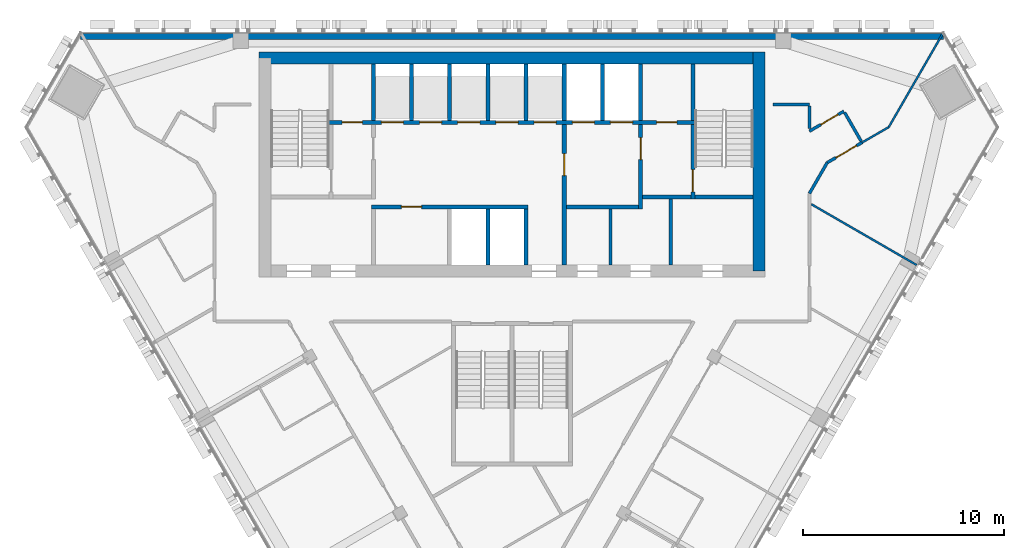
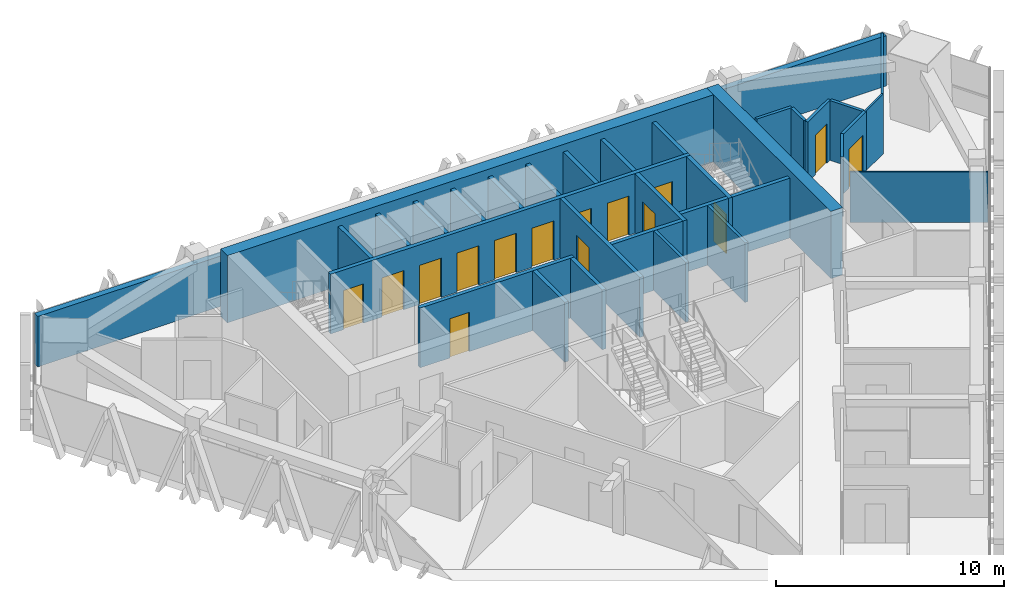
# One storey, part 10 of 14: 33 walls, 15 doors, 15 openings.
"""IFC4 building model written with IfcOpenShell, lengths in metres."""

from ifc_helpers import new_model, si_unit, direction, frame, frame_2d, origin, place, context, subcontext, project, spatial, rectangle, extrude, material, layer, layer_set, type_object, element, fill, save


model = new_model("IFC4")

# Units and contexts
model_context = context("Model", 3, precision=1e-05, world=origin(), true_north=direction((0.0, 1.0)))
body_context = subcontext(model_context, "Body", "Model", "MODEL_VIEW")
ifc_project = project(units=[si_unit("LENGTHUNIT", "METRE"), si_unit("AREAUNIT", "SQUARE_METRE"), si_unit("VOLUMEUNIT", "CUBIC_METRE"), si_unit("PLANEANGLEUNIT", "RADIAN"), si_unit("MASSUNIT", "GRAM", prefix="KILO")], contexts=[model_context])

# Site, building, storey
site_placement = place(None, origin())
site = spatial("IfcSite", under=ifc_project, at=site_placement, CompositionType="ELEMENT")
building_placement = place(site_placement, origin())
building = spatial("IfcBuilding", under=site, at=building_placement, Name="Altiplano Prism Tower", CompositionType="ELEMENT")
storey_placement = place(building_placement, frame((0.0, 0.0, 239.199951171875)))
storey = spatial("IfcBuildingStorey", under=building, at=storey_placement, Name="L61", CompositionType="ELEMENT", Elevation=239.199951171875)

# Walls
ifc_material_1 = material(Name="Concrete C60/75", Category="concrete")
ifc_layer_1 = layer(ifc_material_1, 0.60009765625)
ifc_layer_set_1 = layer_set([ifc_layer_1], Name="Concrete C60/75")
wall_type_1 = type_object("IfcWallType", Name="Core wall 600", PredefinedType="SHEAR", material=ifc_layer_set_1)
wall_1_placement = place(storey_placement, frame((97.300048828125, 93.10009765625, 0.0), z_axis=(0.0, 0.0, 1.0), x_axis=(0.0, 1.0, 0.0)))
element("IfcWall", 1, at=wall_1_placement, inside=storey, type_object=wall_type_1, Name="Core wall E L61", PredefinedType="SHEAR", context=body_context, shape_type="SweptSolid", body=[
    extrude(rectangle(XDim=10.89990234375, YDim=0.60009765625, at=frame_2d((5.449951171875, 0.0))), origin(), (0.0, 0.0, 1.0), 3.60009765625),
])
wall_2_placement = place(storey_placement, frame((97.300048828125, 103.699951171875, 0.0), z_axis=(0.0, 0.0, 1.0), x_axis=(-1.0, 0.0, 0.0)))
element("IfcWall", 2, at=wall_2_placement, inside=storey, type_object=wall_type_1, Name="Core wall N L61", PredefinedType="SHEAR", context=body_context, shape_type="SweptSolid", body=[
    extrude(rectangle(XDim=24.900146484375, YDim=0.60009765625, at=frame_2d((12.4501953125, 0.0))), origin(), (0.0, 0.0, 1.0), 3.60009765625),
])
ifc_material_2 = material(Name="Plasterboard on steel stud", Category="steel")
ifc_layer_2 = layer(ifc_material_2, 0.10009765625)
ifc_layer_set_2 = layer_set([ifc_layer_2], Name="Plasterboard on steel stud")
wall_type_2 = type_object("IfcWallType", Name="Partition 100 wet", PredefinedType="PARTITIONING", material=ifc_layer_set_2)
wall_3_placement = place(storey_placement, frame((105.135009765625, 93.407958984375, 0.0), z_axis=(0.0, 0.0, 1.0), x_axis=(-0.866045022241, 0.499966018296, 0.0)))
element("IfcWall", 3, at=wall_3_placement, inside=storey, type_object=wall_type_2, Name="Partition P03 L61 060", PredefinedType="PARTITIONING", context=body_context, shape_type="SweptSolid", body=[
    extrude(rectangle(XDim=6.044921875, YDim=0.10009765625, at=frame_2d((3.0224609375, 0.0))), origin(), (0.0, 0.0, 1.0), 2.699951171875),
])
wall_4_placement = place(storey_placement, frame((106.42236328125, 104.89990234375, 0.0), z_axis=(0.0, 0.0, 1.0), x_axis=(-0.500008311739, -0.866020604947, 0.0)))
element("IfcWall", 4, at=wall_4_placement, inside=storey, type_object=wall_type_2, Name="Partition P03 L61 061", PredefinedType="PARTITIONING", context=body_context, shape_type="SweptSolid", body=[
    extrude(rectangle(XDim=5.34765625, YDim=0.10009765625, at=frame_2d((2.673828125, 0.0))), origin(), (0.0, 0.0, 1.0), 2.699951171875),
])
wall_5_placement = place(storey_placement, frame((103.74853515625, 100.268798828125, 0.0), z_axis=(0.0, 0.0, 1.0), x_axis=(-0.866016353143, -0.500015675843, 0.0)))
element("IfcWall", 5, at=wall_5_placement, inside=storey, type_object=wall_type_2, Name="Partition P03 L61 062", PredefinedType="PARTITIONING", context=body_context, shape_type="SweptSolid", body=[
    extrude(rectangle(XDim=1.53759765625, YDim=0.10009765625, at=frame_2d((0.768798828125, 0.0))), origin(), (0.0, 0.0, 1.0), 3.199951171875),
])
ifc_layer_3 = layer(ifc_material_2, 0.14990234375)
ifc_layer_set_3 = layer_set([ifc_layer_3], Name="Plasterboard on steel stud")
wall_type_3 = type_object("IfcWallType", Name="Partition 150 corridor", PredefinedType="PARTITIONING", material=ifc_layer_set_3)
wall_6_placement = place(storey_placement, frame((99.800048828125, 96.96728515625, 0.0), z_axis=(0.0, 0.0, 1.0), x_axis=(0.499937404092, 0.866061540533, 0.0)))
element("IfcWall", 6, at=wall_6_placement, inside=storey, type_object=wall_type_3, Name="Partition P06 L61 013", PredefinedType="PARTITIONING", context=body_context, shape_type="SweptSolid", body=[
    extrude(rectangle(XDim=1.769775390625, YDim=0.14990234375, at=frame_2d((0.884765625, 0.0))), origin(), (0.0, 0.0, 1.0), 3.199951171875),
])

# Wall, opening, door
wall_7_placement = place(storey_placement, frame((100.684814453125, 98.5, 0.0), z_axis=(0.0, 0.0, 1.0), x_axis=(0.866040685659, 0.499973530083, 0.0)))
wall_7 = element("IfcWall", 7, at=wall_7_placement, inside=storey, type_object=wall_type_3, Name="Partition P06 L61 014", PredefinedType="PARTITIONING", context=body_context, shape_type="SweptSolid", body=[
    extrude(rectangle(XDim=2.02001953125, YDim=0.14990234375, at=frame_2d((1.010009765625, 0.0))), origin(), (0.0, 0.0, 1.0), 3.199951171875),
])
opening_1_placement = place(wall_7_placement, frame((0.49609375, 0.0, 0.0)))
opening_1 = element("IfcOpeningElement", 8, at=opening_1_placement, cuts=wall_7, Name="Opening D2014", PredefinedType="OPENING", context=body_context, shape_type="SweptSolid", body=[
    extrude(rectangle(XDim=1.199951171875, YDim=2.10009765625, at=frame_2d((0.60009765625, 1.050048828125))), frame((0.0, 0.08544921875, 0.0), z_axis=(0.0, -1.0, 0.0), x_axis=(1.0, 0.0, 0.0)), (0.0, 0.0, 1.0), 0.1708984375),
])
ifc_material_3 = material(Name="Timber", Category="wood")
door_type_1 = type_object("IfcDoorType", Name="Shared room door 1200 x 2100", OperationType="NOTDEFINED", PredefinedType="NOTDEFINED", material=ifc_material_3)
door_1_placement = place(opening_1_placement, origin())
door_1 = element("IfcDoor", 9, at=door_1_placement, inside=storey, type_object=door_type_1, Name="Door D2014", OperationType="SINGLE_SWING_RIGHT", OverallHeight=2.10009765625, OverallWidth=1.199951171875, PredefinedType="NOTDEFINED", context=body_context, shape_type="SweptSolid", body=[
    extrude(rectangle(XDim=1.199951171875, YDim=2.10009765625, at=frame_2d((0.60009765625, 1.050048828125))), frame((0.0, 0.02490234375, 0.0), z_axis=(0.0, -1.0, 0.0), x_axis=(1.0, 0.0, 0.0)), (0.0, 0.0, 1.0), 0.050048828125),
])
fill(opening_1, door_1)

# Wall
wall_8_placement = place(storey_placement, frame((102.37939453125, 99.56494140625, 0.0), z_axis=(0.0, 0.0, 1.0), x_axis=(-0.499974350878, 0.866040211805, 0.0)))
element("IfcWall", 10, at=wall_8_placement, inside=storey, type_object=wall_type_3, Name="Partition P06 L61 019", PredefinedType="PARTITIONING", context=body_context, shape_type="SweptSolid", body=[
    extrude(rectangle(XDim=1.64990234375, YDim=0.14990234375, at=frame_2d((0.824951171875, 0.0))), origin(), (0.0, 0.0, 1.0), 3.199951171875),
])

# Wall, opening, door
wall_9_placement = place(storey_placement, frame((101.516845703125, 101.058837890625, 0.0), z_axis=(0.0, 0.0, 1.0), x_axis=(-0.866021515814, -0.500006734102, 0.0)))
wall_9 = element("IfcWall", 11, at=wall_9_placement, inside=storey, type_object=wall_type_3, Name="Partition P06 L61 020", PredefinedType="PARTITIONING", context=body_context, shape_type="SweptSolid", body=[
    extrude(rectangle(XDim=1.982421875, YDim=0.14990234375, at=frame_2d((0.9912109375, 0.0))), origin(), (0.0, 0.0, 1.0), 3.199951171875),
])
opening_2_placement = place(wall_9_placement, frame((0.3291015625, 0.0, 0.0)))
opening_2 = element("IfcOpeningElement", 12, at=opening_2_placement, cuts=wall_9, Name="Opening D2016", PredefinedType="OPENING", context=body_context, shape_type="SweptSolid", body=[
    extrude(rectangle(XDim=1.0, YDim=2.10009765625, at=frame_2d((0.5, 1.050048828125))), frame((0.0, 0.08544921875, 0.0), z_axis=(0.0, -1.0, 0.0), x_axis=(1.0, 0.0, 0.0)), (0.0, 0.0, 1.0), 0.1708984375),
])
door_type_2 = type_object("IfcDoorType", Name="Room door 1000 x 2100", OperationType="NOTDEFINED", PredefinedType="NOTDEFINED", material=ifc_material_3)
door_2_placement = place(opening_2_placement, origin())
door_2 = element("IfcDoor", 13, at=door_2_placement, inside=storey, type_object=door_type_2, Name="Door D2016", OperationType="SINGLE_SWING_RIGHT", OverallHeight=2.10009765625, OverallWidth=1.0, PredefinedType="NOTDEFINED", context=body_context, shape_type="SweptSolid", body=[
    extrude(rectangle(XDim=1.0, YDim=2.10009765625, at=frame_2d((0.5, 1.050048828125))), frame((0.0, 0.02490234375, 0.0), z_axis=(0.0, -1.0, 0.0), x_axis=(1.0, 0.0, 0.0)), (0.0, 0.0, 1.0), 0.050048828125),
])
fill(opening_2, door_2)

# Walls
wall_10_placement = place(storey_placement, frame((99.800048828125, 100.197509765625, 0.0), z_axis=(0.0, 0.0, 1.0), x_axis=(0.0, 1.0, 0.0)))
element("IfcWall", 14, at=wall_10_placement, inside=storey, type_object=wall_type_3, Name="Partition P06 L61 021", PredefinedType="PARTITIONING", context=body_context, shape_type="SweptSolid", body=[
    extrude(rectangle(XDim=1.12744140625, YDim=0.14990234375, at=frame_2d((0.563720703125, 0.0))), origin(), (0.0, 0.0, 1.0), 3.199951171875),
])
wall_11_placement = place(storey_placement, frame((99.800048828125, 101.39990234375, 0.0), z_axis=(0.0, 0.0, 1.0), x_axis=(-1.0, 0.0, 0.0)))
element("IfcWall", 15, at=wall_11_placement, inside=storey, type_object=wall_type_3, Name="Partition P06 L61 022", PredefinedType="PARTITIONING", context=body_context, shape_type="SweptSolid", body=[
    extrude(rectangle(XDim=1.800048828125, YDim=0.14990234375, at=frame_2d((0.89990234375, 0.0))), origin(), (0.0, 0.0, 1.0), 3.199951171875),
])
ifc_material_4 = material(Name="Fire-rated gypsum board partition")
ifc_layer_4 = layer(ifc_material_4, 0.14990234375)
ifc_layer_set_4 = layer_set([ifc_layer_4], Name="Fire-rated gypsum board partition")
wall_type_4 = type_object("IfcWallType", Name="Room partition 150", PredefinedType="PARTITIONING", material=ifc_layer_set_4)
wall_12_placement = place(storey_placement, frame((89.89990234375, 93.39990234375, 0.0), z_axis=(0.0, 0.0, 1.0), x_axis=(0.0, 1.0, 0.0)))
element("IfcWall", 16, at=wall_12_placement, inside=storey, type_object=wall_type_4, Name="Room partition L61", PredefinedType="PARTITIONING", context=body_context, shape_type="SweptSolid", body=[
    extrude(rectangle(XDim=2.800048828125, YDim=0.14990234375, at=frame_2d((1.39990234375, 0.0))), origin(), (0.0, 0.0, 1.0), 3.199951171875),
])
wall_13_placement = place(storey_placement, frame((92.89990234375, 93.39990234375, 0.0), z_axis=(0.0, 0.0, 1.0), x_axis=(0.0, 1.0, 0.0)))
element("IfcWall", 17, at=wall_13_placement, inside=storey, type_object=wall_type_4, Name="Room partition L61", PredefinedType="PARTITIONING", context=body_context, shape_type="SweptSolid", body=[
    extrude(rectangle(XDim=3.300048828125, YDim=0.14990234375, at=frame_2d((1.64990234375, 0.0))), origin(), (0.0, 0.0, 1.0), 3.199951171875),
])
ifc_layer_5 = layer(ifc_material_1, 0.199951171875)
ifc_layer_set_5 = layer_set([ifc_layer_5], Name="Concrete C60/75")
wall_type_5 = type_object("IfcWallType", Name="Shaft wall 200", PredefinedType="SOLIDWALL", material=ifc_layer_set_5)
for number, where, z_axis, x_axis, name in (
    (18, (83.800048828125, 93.39990234375, 0.0), (0.0, 0.0, 1.0), (0.0, 1.0, 0.0), "Shaft wall L61"),
    (19, (85.699951171875, 93.39990234375, 0.0), (0.0, 0.0, 1.0), (0.0, 1.0, 0.0), "Shaft wall L61"),
):
    element("IfcWall", number, at=place(storey_placement, frame(where, z_axis=z_axis, x_axis=x_axis)), inside=storey, type_object=wall_type_5, Name=name, PredefinedType="SOLIDWALL", context=body_context, shape_type="SweptSolid", body=[
        extrude(rectangle(XDim=2.800048828125, YDim=0.199951171875, at=frame_2d((1.39990234375, 0.0))), origin(), (0.0, 0.0, 1.0), 3.199951171875),
    ])

# Wall, opening, door
wall_14_placement = place(storey_placement, frame((78.0, 96.300048828125, 0.0), z_axis=(0.0, 0.0, 1.0), x_axis=(1.0, 0.0, 0.0)))
wall_14 = element("IfcWall", 20, at=wall_14_placement, inside=storey, type_object=wall_type_5, Name="Shaft wall L61", PredefinedType="SOLIDWALL", context=body_context, shape_type="SweptSolid", body=[
    extrude(rectangle(XDim=7.800048828125, YDim=0.199951171875, at=frame_2d((3.89990234375, 0.0))), origin(), (0.0, 0.0, 1.0), 3.199951171875),
])
opening_3_placement = place(wall_14_placement, frame((1.5, 0.0, 0.0)))
opening_3 = element("IfcOpeningElement", 21, at=opening_3_placement, cuts=wall_14, Name="Opening D3441", PredefinedType="OPENING", context=body_context, shape_type="SweptSolid", body=[
    extrude(rectangle(XDim=1.0, YDim=2.10009765625, at=frame_2d((0.5, 1.050048828125))), frame((0.0, 0.1103515625, 0.0), z_axis=(0.0, -1.0, 0.0), x_axis=(1.0, 0.0, 0.0)), (0.0, 0.0, 1.0), 0.220947265625),
])
ifc_material_5 = material(Name="Fire-rated steel door", Category="steel")
door_type_3 = type_object("IfcDoorType", Name="Core room door 1000 x 2100", OperationType="NOTDEFINED", PredefinedType="NOTDEFINED", material=ifc_material_5)
door_3_placement = place(opening_3_placement, origin())
door_3 = element("IfcDoor", 22, at=door_3_placement, inside=storey, type_object=door_type_3, Name="Core room door D3441", OperationType="SINGLE_SWING_RIGHT", OverallHeight=2.10009765625, OverallWidth=1.0, PredefinedType="NOTDEFINED", context=body_context, shape_type="SweptSolid", body=[
    extrude(rectangle(XDim=1.0, YDim=2.10009765625, at=frame_2d((0.5, 1.050048828125))), frame((0.0, 0.02490234375, 0.0), z_axis=(0.0, -1.0, 0.0), x_axis=(1.0, 0.0, 0.0)), (0.0, 0.0, 1.0), 0.050048828125),
])
fill(opening_3, door_3)

# Walls
for number, where, z_axis, x_axis, name in (
    (23, (78.10009765625, 100.60009765625, 0.0), (0.0, 0.0, 1.0), (0.0, 1.0, 0.0), "Shaft wall L61"),
    (24, (80.0, 100.60009765625, 0.0), (0.0, 0.0, 1.0), (0.0, 1.0, 0.0), "Shaft wall L61"),
    (25, (81.89990234375, 100.60009765625, 0.0), (0.0, 0.0, 1.0), (0.0, 1.0, 0.0), "Shaft wall L61"),
    (26, (83.800048828125, 100.60009765625, 0.0), (0.0, 0.0, 1.0), (0.0, 1.0, 0.0), "Shaft wall L61"),
    (27, (85.699951171875, 100.60009765625, 0.0), (0.0, 0.0, 1.0), (0.0, 1.0, 0.0), "Shaft wall L61"),
    (28, (87.60009765625, 100.60009765625, 0.0), (0.0, 0.0, 1.0), (0.0, 1.0, 0.0), "Shaft wall L61"),
    (29, (89.5, 100.60009765625, 0.0), (0.0, 0.0, 1.0), (0.0, 1.0, 0.0), "Shaft wall L61"),
    (30, (91.39990234375, 100.60009765625, 0.0), (0.0, 0.0, 1.0), (0.0, 1.0, 0.0), "Shaft wall L61"),
):
    element("IfcWall", number, at=place(storey_placement, frame(where, z_axis=z_axis, x_axis=x_axis)), inside=storey, type_object=wall_type_5, Name=name, PredefinedType="SOLIDWALL", context=body_context, shape_type="SweptSolid", body=[
        extrude(rectangle(XDim=2.7998046875, YDim=0.199951171875, at=frame_2d((1.39990234375, 0.0))), origin(), (0.0, 0.0, 1.0), 3.199951171875),
    ])

# Wall, opening, door
ifc_layer_6 = layer(ifc_material_1, 0.199951171875)
ifc_layer_set_6 = layer_set([ifc_layer_6], Name="Concrete C60/75")
wall_type_6 = type_object("IfcWallType", Name="Stair wall 200", PredefinedType="SOLIDWALL", material=ifc_layer_set_6)
wall_15_placement = place(storey_placement, frame((94.0, 96.699951171875, 0.0), z_axis=(0.0, 0.0, 1.0), x_axis=(0.0, 1.0, 0.0)))
wall_15 = element("IfcWall", 31, at=wall_15_placement, inside=storey, type_object=wall_type_6, Name="Stair wall L61", PredefinedType="SOLIDWALL", context=body_context, shape_type="SweptSolid", body=[
    extrude(rectangle(XDim=3.699951171875, YDim=0.199951171875, at=frame_2d((1.85009765625, 0.0))), origin(), (0.0, 0.0, 1.0), 3.199951171875),
])
opening_4_placement = place(wall_15_placement, frame((0.35009765625, 0.0, 0.0)))
opening_4 = element("IfcOpeningElement", 32, at=opening_4_placement, cuts=wall_15, Name="Opening D3429", PredefinedType="OPENING", context=body_context, shape_type="SweptSolid", body=[
    extrude(rectangle(XDim=1.10009765625, YDim=2.10009765625, at=frame_2d((0.550048828125, 1.050048828125))), frame((0.0, 0.1103515625, 0.0), z_axis=(0.0, -1.0, 0.0), x_axis=(1.0, 0.0, 0.0)), (0.0, 0.0, 1.0), 0.220947265625),
])
door_type_4 = type_object("IfcDoorType", Name="Stair fire door 1100 x 2100", OperationType="NOTDEFINED", PredefinedType="NOTDEFINED", material=ifc_material_5)
door_4_placement = place(opening_4_placement, origin())
door_4 = element("IfcDoor", 33, at=door_4_placement, inside=storey, type_object=door_type_4, Name="Stair fire door D3429", OperationType="SINGLE_SWING_LEFT", OverallHeight=2.10009765625, OverallWidth=1.10009765625, PredefinedType="NOTDEFINED", context=body_context, shape_type="SweptSolid", body=[
    extrude(rectangle(XDim=1.10009765625, YDim=2.10009765625, at=frame_2d((0.550048828125, 1.050048828125))), frame((0.0, 0.02490234375, 0.0), z_axis=(0.0, -1.0, 0.0), x_axis=(1.0, 0.0, 0.0)), (0.0, 0.0, 1.0), 0.050048828125),
])
fill(opening_4, door_4)

# Wall
wall_16_placement = place(storey_placement, frame((94.10009765625, 96.800048828125, 0.0), z_axis=(0.0, 0.0, 1.0), x_axis=(1.0, 0.0, 0.0)))
element("IfcWall", 34, at=wall_16_placement, inside=storey, type_object=wall_type_6, Name="Stair wall L61", PredefinedType="SOLIDWALL", context=body_context, shape_type="SweptSolid", body=[
    extrude(rectangle(XDim=2.89990234375, YDim=0.199951171875, at=frame_2d((1.449951171875, 0.0))), origin(), (0.0, 0.0, 1.0), 3.199951171875),
])

# Wall, openings, doors
wall_17_placement = place(storey_placement, frame((75.89990234375, 100.5, 0.0), z_axis=(0.0, 0.0, 1.0), x_axis=(1.0, 0.0, 0.0)))
wall_17 = element("IfcWall", 35, at=wall_17_placement, inside=storey, type_object=wall_type_6, Name="Stair wall L61", PredefinedType="SOLIDWALL", context=body_context, shape_type="SweptSolid", body=[
    extrude(rectangle(XDim=18.2001953125, YDim=0.199951171875, at=frame_2d((9.10009765625, 0.0))), origin(), (0.0, 0.0, 1.0), 3.199951171875),
])
opening_5_placement = place(wall_17_placement, frame((2.60009765625, 0.0, 0.0)))
opening_5 = element("IfcOpeningElement", 36, at=opening_5_placement, cuts=wall_17, Name="Opening LD-HL1-L61", PredefinedType="OPENING", context=body_context, shape_type="SweptSolid", body=[
    extrude(rectangle(XDim=1.10009765625, YDim=2.10009765625, at=frame_2d((0.550048828125, 1.050048828125))), frame((0.0, 0.1103515625, 0.0), z_axis=(0.0, -1.0, 0.0), x_axis=(1.0, 0.0, 0.0)), (0.0, 0.0, 1.0), 0.220947265625),
])
opening_6_placement = place(wall_17_placement, frame((4.5, 0.0, 0.0)))
opening_6 = element("IfcOpeningElement", 37, at=opening_6_placement, cuts=wall_17, Name="Opening LD-HL2-L61", PredefinedType="OPENING", context=body_context, shape_type="SweptSolid", body=[
    extrude(rectangle(XDim=1.10009765625, YDim=2.10009765625, at=frame_2d((0.550048828125, 1.050048828125))), frame((0.0, 0.1103515625, 0.0), z_axis=(0.0, -1.0, 0.0), x_axis=(1.0, 0.0, 0.0)), (0.0, 0.0, 1.0), 0.220947265625),
])
opening_7_placement = place(wall_17_placement, frame((6.39990234375, 0.0, 0.0)))
opening_7 = element("IfcOpeningElement", 38, at=opening_7_placement, cuts=wall_17, Name="Opening LD-HL3-L61", PredefinedType="OPENING", context=body_context, shape_type="SweptSolid", body=[
    extrude(rectangle(XDim=1.10009765625, YDim=2.10009765625, at=frame_2d((0.550048828125, 1.050048828125))), frame((0.0, 0.1103515625, 0.0), z_axis=(0.0, -1.0, 0.0), x_axis=(1.0, 0.0, 0.0)), (0.0, 0.0, 1.0), 0.220947265625),
])
opening_8_placement = place(wall_17_placement, frame((8.300048828125, 0.0, 0.0)))
opening_8 = element("IfcOpeningElement", 39, at=opening_8_placement, cuts=wall_17, Name="Opening LD-HL4-L61", PredefinedType="OPENING", context=body_context, shape_type="SweptSolid", body=[
    extrude(rectangle(XDim=1.10009765625, YDim=2.10009765625, at=frame_2d((0.550048828125, 1.050048828125))), frame((0.0, 0.1103515625, 0.0), z_axis=(0.0, -1.0, 0.0), x_axis=(1.0, 0.0, 0.0)), (0.0, 0.0, 1.0), 0.220947265625),
])
opening_9_placement = place(wall_17_placement, frame((10.199951171875, 0.0, 0.0)))
opening_9 = element("IfcOpeningElement", 40, at=opening_9_placement, cuts=wall_17, Name="Opening LD-HL5-L61", PredefinedType="OPENING", context=body_context, shape_type="SweptSolid", body=[
    extrude(rectangle(XDim=1.10009765625, YDim=2.10009765625, at=frame_2d((0.550048828125, 1.050048828125))), frame((0.0, 0.1103515625, 0.0), z_axis=(0.0, -1.0, 0.0), x_axis=(1.0, 0.0, 0.0)), (0.0, 0.0, 1.0), 0.220947265625),
])
opening_10_placement = place(wall_17_placement, frame((12.10009765625, 0.0, 0.0)))
opening_10 = element("IfcOpeningElement", 41, at=opening_10_placement, cuts=wall_17, Name="Opening LD-FF1-L61", PredefinedType="OPENING", context=body_context, shape_type="SweptSolid", body=[
    extrude(rectangle(XDim=1.10009765625, YDim=2.10009765625, at=frame_2d((0.550048828125, 1.050048828125))), frame((0.0, 0.1103515625, 0.0), z_axis=(0.0, -1.0, 0.0), x_axis=(1.0, 0.0, 0.0)), (0.0, 0.0, 1.0), 0.220947265625),
])
opening_11_placement = place(wall_17_placement, frame((14.0, 0.0, 0.0)))
opening_11 = element("IfcOpeningElement", 42, at=opening_11_placement, cuts=wall_17, Name="Opening LD-FF2-L61", PredefinedType="OPENING", context=body_context, shape_type="SweptSolid", body=[
    extrude(rectangle(XDim=1.10009765625, YDim=2.10009765625, at=frame_2d((0.550048828125, 1.050048828125))), frame((0.0, 0.1103515625, 0.0), z_axis=(0.0, -1.0, 0.0), x_axis=(1.0, 0.0, 0.0)), (0.0, 0.0, 1.0), 0.220947265625),
])
opening_12_placement = place(wall_17_placement, frame((0.64990234375, 0.0, 0.0)))
opening_12 = element("IfcOpeningElement", 43, at=opening_12_placement, cuts=wall_17, Name="Opening D3436", PredefinedType="OPENING", context=body_context, shape_type="SweptSolid", body=[
    extrude(rectangle(XDim=1.0, YDim=2.10009765625, at=frame_2d((0.5, 1.050048828125))), frame((0.0, 0.1103515625, 0.0), z_axis=(0.0, -1.0, 0.0), x_axis=(1.0, 0.0, 0.0)), (0.0, 0.0, 1.0), 0.220947265625),
])
opening_13_placement = place(wall_17_placement, frame((16.300048828125, 0.0, 0.0)))
opening_13 = element("IfcOpeningElement", 44, at=opening_13_placement, cuts=wall_17, Name="Opening D3437", PredefinedType="OPENING", context=body_context, shape_type="SweptSolid", body=[
    extrude(rectangle(XDim=1.0, YDim=2.10009765625, at=frame_2d((0.5, 1.050048828125))), frame((0.0, 0.1103515625, 0.0), z_axis=(0.0, -1.0, 0.0), x_axis=(1.0, 0.0, 0.0)), (0.0, 0.0, 1.0), 0.220947265625),
])
door_5_placement = place(opening_12_placement, origin())
door_5 = element("IfcDoor", 45, at=door_5_placement, inside=storey, type_object=door_type_3, Name="Core room door D3436", OperationType="SINGLE_SWING_LEFT", OverallHeight=2.10009765625, OverallWidth=1.0, PredefinedType="NOTDEFINED", context=body_context, shape_type="SweptSolid", body=[
    extrude(rectangle(XDim=1.0, YDim=2.10009765625, at=frame_2d((0.5, 1.050048828125))), frame((0.0, 0.02490234375, 0.0), z_axis=(0.0, -1.0, 0.0), x_axis=(1.0, 0.0, 0.0)), (0.0, 0.0, 1.0), 0.050048828125),
])
fill(opening_12, door_5)
door_6_placement = place(opening_13_placement, origin())
door_6 = element("IfcDoor", 46, at=door_6_placement, inside=storey, type_object=door_type_3, Name="Core room door D3437", OperationType="SINGLE_SWING_RIGHT", OverallHeight=2.10009765625, OverallWidth=1.0, PredefinedType="NOTDEFINED", context=body_context, shape_type="SweptSolid", body=[
    extrude(rectangle(XDim=1.0, YDim=2.10009765625, at=frame_2d((0.5, 1.050048828125))), frame((0.0, 0.02490234375, 0.0), z_axis=(0.0, -1.0, 0.0), x_axis=(1.0, 0.0, 0.0)), (0.0, 0.0, 1.0), 0.050048828125),
])
fill(opening_13, door_6)
ifc_material_6 = material(Name="Stainless steel landing door", Category="steel")
door_type_5 = type_object("IfcDoorType", Name="Landing door 1100 x 2100", OperationType="NOTDEFINED", PredefinedType="NOTDEFINED", material=ifc_material_6)
door_7_placement = place(opening_5_placement, origin())
door_7 = element("IfcDoor", 47, at=door_7_placement, inside=storey, type_object=door_type_5, Name="Landing doors HL1", OperationType="SLIDING_TO_RIGHT", OverallHeight=2.10009765625, OverallWidth=1.10009765625, PredefinedType="NOTDEFINED", context=body_context, shape_type="SweptSolid", body=[
    extrude(rectangle(XDim=1.10009765625, YDim=2.10009765625, at=frame_2d((0.550048828125, 1.050048828125))), frame((0.0, 0.02490234375, 0.0), z_axis=(0.0, -1.0, 0.0), x_axis=(1.0, 0.0, 0.0)), (0.0, 0.0, 1.0), 0.050048828125),
])
fill(opening_5, door_7)
door_8_placement = place(opening_6_placement, origin())
door_8 = element("IfcDoor", 48, at=door_8_placement, inside=storey, type_object=door_type_5, Name="Landing doors HL2", OperationType="SLIDING_TO_LEFT", OverallHeight=2.10009765625, OverallWidth=1.10009765625, PredefinedType="NOTDEFINED", context=body_context, shape_type="SweptSolid", body=[
    extrude(rectangle(XDim=1.10009765625, YDim=2.10009765625, at=frame_2d((0.550048828125, 1.050048828125))), frame((0.0, 0.02490234375, 0.0), z_axis=(0.0, -1.0, 0.0), x_axis=(1.0, 0.0, 0.0)), (0.0, 0.0, 1.0), 0.050048828125),
])
fill(opening_6, door_8)
door_9_placement = place(opening_7_placement, origin())
door_9 = element("IfcDoor", 49, at=door_9_placement, inside=storey, type_object=door_type_5, Name="Landing doors HL3", OperationType="SLIDING_TO_RIGHT", OverallHeight=2.10009765625, OverallWidth=1.10009765625, PredefinedType="NOTDEFINED", context=body_context, shape_type="SweptSolid", body=[
    extrude(rectangle(XDim=1.10009765625, YDim=2.10009765625, at=frame_2d((0.550048828125, 1.050048828125))), frame((0.0, 0.02490234375, 0.0), z_axis=(0.0, -1.0, 0.0), x_axis=(1.0, 0.0, 0.0)), (0.0, 0.0, 1.0), 0.050048828125),
])
fill(opening_7, door_9)
door_10_placement = place(opening_8_placement, origin())
door_10 = element("IfcDoor", 50, at=door_10_placement, inside=storey, type_object=door_type_5, Name="Landing doors HL4", OperationType="SLIDING_TO_LEFT", OverallHeight=2.10009765625, OverallWidth=1.10009765625, PredefinedType="NOTDEFINED", context=body_context, shape_type="SweptSolid", body=[
    extrude(rectangle(XDim=1.10009765625, YDim=2.10009765625, at=frame_2d((0.550048828125, 1.050048828125))), frame((0.0, 0.02490234375, 0.0), z_axis=(0.0, -1.0, 0.0), x_axis=(1.0, 0.0, 0.0)), (0.0, 0.0, 1.0), 0.050048828125),
])
fill(opening_8, door_10)
door_11_placement = place(opening_9_placement, origin())
door_11 = element("IfcDoor", 51, at=door_11_placement, inside=storey, type_object=door_type_5, Name="Landing doors HL5", OperationType="SLIDING_TO_RIGHT", OverallHeight=2.10009765625, OverallWidth=1.10009765625, PredefinedType="NOTDEFINED", context=body_context, shape_type="SweptSolid", body=[
    extrude(rectangle(XDim=1.10009765625, YDim=2.10009765625, at=frame_2d((0.550048828125, 1.050048828125))), frame((0.0, 0.02490234375, 0.0), z_axis=(0.0, -1.0, 0.0), x_axis=(1.0, 0.0, 0.0)), (0.0, 0.0, 1.0), 0.050048828125),
])
fill(opening_9, door_11)
door_12_placement = place(opening_10_placement, origin())
door_12 = element("IfcDoor", 52, at=door_12_placement, inside=storey, type_object=door_type_5, Name="Landing doors FF1", OperationType="SLIDING_TO_RIGHT", OverallHeight=2.10009765625, OverallWidth=1.10009765625, PredefinedType="NOTDEFINED", context=body_context, shape_type="SweptSolid", body=[
    extrude(rectangle(XDim=1.10009765625, YDim=2.10009765625, at=frame_2d((0.550048828125, 1.050048828125))), frame((0.0, 0.02490234375, 0.0), z_axis=(0.0, -1.0, 0.0), x_axis=(1.0, 0.0, 0.0)), (0.0, 0.0, 1.0), 0.050048828125),
])
fill(opening_10, door_12)
door_13_placement = place(opening_11_placement, origin())
door_13 = element("IfcDoor", 53, at=door_13_placement, inside=storey, type_object=door_type_5, Name="Landing doors FF2", OperationType="SLIDING_TO_LEFT", OverallHeight=2.10009765625, OverallWidth=1.10009765625, PredefinedType="NOTDEFINED", context=body_context, shape_type="SweptSolid", body=[
    extrude(rectangle(XDim=1.10009765625, YDim=2.10009765625, at=frame_2d((0.550048828125, 1.050048828125))), frame((0.0, 0.02490234375, 0.0), z_axis=(0.0, -1.0, 0.0), x_axis=(1.0, 0.0, 0.0)), (0.0, 0.0, 1.0), 0.050048828125),
])
fill(opening_11, door_13)

# Walls
wall_18_placement = place(storey_placement, frame((94.0, 100.60009765625, 0.0), z_axis=(0.0, 0.0, 1.0), x_axis=(0.0, 1.0, 0.0)))
element("IfcWall", 54, at=wall_18_placement, inside=storey, type_object=wall_type_6, Name="Stair wall L61", PredefinedType="SOLIDWALL", context=body_context, shape_type="SweptSolid", body=[
    extrude(rectangle(XDim=2.7998046875, YDim=0.199951171875, at=frame_2d((1.39990234375, 0.0))), origin(), (0.0, 0.0, 1.0), 3.199951171875),
])
ifc_material_7 = material(Name="Concrete C40", Category="concrete")
ifc_layer_7 = layer(ifc_material_7, 0.300048828125)
ifc_layer_set_7 = layer_set([ifc_layer_7], Name="Concrete C40")
wall_type_7 = type_object("IfcWallType", Name="Stone-clad external wall 300", PredefinedType="SOLIDWALL", material=ifc_layer_set_7)
wall_19_placement = place(storey_placement, frame((63.519775390625, 104.7900390625, 0.0), z_axis=(0.0, 0.0, 1.0), x_axis=(1.0, 0.0, 0.0)))
element("IfcWall", 55, at=wall_19_placement, inside=storey, type_object=wall_type_7, Name="External wall north face L61", PredefinedType="SOLIDWALL", context=body_context, shape_type="SweptSolid", body=[
    extrude(rectangle(XDim=42.96044921875, YDim=0.300048828125, at=frame_2d((21.480224609375, 0.0))), origin(), (0.0, 0.0, 1.0), 2.699951171875),
])

# Wall, opening, door
ifc_layer_8 = layer(ifc_material_1, 0.199951171875)
ifc_layer_set_8 = layer_set([ifc_layer_8], Name="Concrete C60/75")
wall_type_8 = type_object("IfcWallType", Name="Vestibule wall 200", PredefinedType="PARTITIONING", material=ifc_layer_set_8)
wall_20_placement = place(storey_placement, frame((87.60009765625, 93.39990234375, 0.0), z_axis=(0.0, 0.0, 1.0), x_axis=(0.0, 1.0, 0.0)))
wall_20 = element("IfcWall", 56, at=wall_20_placement, inside=storey, type_object=wall_type_8, Name="Vestibule wall L61", PredefinedType="PARTITIONING", context=body_context, shape_type="SweptSolid", body=[
    extrude(rectangle(XDim=7.0, YDim=0.199951171875, at=frame_2d((3.5, 0.0))), origin(), (0.0, 0.0, 1.0), 3.199951171875),
])
opening_14_placement = place(wall_20_placement, frame((4.449951171875, 0.0, 0.0)))
opening_14 = element("IfcOpeningElement", 57, at=opening_14_placement, cuts=wall_20, Name="Opening D3431", PredefinedType="OPENING", context=body_context, shape_type="SweptSolid", body=[
    extrude(rectangle(XDim=1.10009765625, YDim=2.10009765625, at=frame_2d((0.550048828125, 1.050048828125))), frame((0.0, 0.1103515625, 0.0), z_axis=(0.0, -1.0, 0.0), x_axis=(1.0, 0.0, 0.0)), (0.0, 0.0, 1.0), 0.220947265625),
])
door_type_6 = type_object("IfcDoorType", Name="Vestibule fire door 1100 x 2100", OperationType="NOTDEFINED", PredefinedType="NOTDEFINED", material=ifc_material_5)
door_14_placement = place(opening_14_placement, origin())
door_14 = element("IfcDoor", 58, at=door_14_placement, inside=storey, type_object=door_type_6, Name="Vestibule fire door D3431", OperationType="SINGLE_SWING_RIGHT", OverallHeight=2.10009765625, OverallWidth=1.10009765625, PredefinedType="NOTDEFINED", context=body_context, shape_type="SweptSolid", body=[
    extrude(rectangle(XDim=1.10009765625, YDim=2.10009765625, at=frame_2d((0.550048828125, 1.050048828125))), frame((0.0, 0.02490234375, 0.0), z_axis=(0.0, -1.0, 0.0), x_axis=(1.0, 0.0, 0.0)), (0.0, 0.0, 1.0), 0.050048828125),
])
fill(opening_14, door_14)

# Wall
wall_21_placement = place(storey_placement, frame((87.699951171875, 96.300048828125, 0.0), z_axis=(0.0, 0.0, 1.0), x_axis=(1.0, 0.0, 0.0)))
element("IfcWall", 59, at=wall_21_placement, inside=storey, type_object=wall_type_8, Name="Vestibule wall L61", PredefinedType="PARTITIONING", context=body_context, shape_type="SweptSolid", body=[
    extrude(rectangle(XDim=3.60009765625, YDim=0.199951171875, at=frame_2d((1.800048828125, 0.0))), origin(), (0.0, 0.0, 1.0), 3.199951171875),
])

# Wall, opening, door
wall_22_placement = place(storey_placement, frame((91.39990234375, 96.199951171875, 0.0), z_axis=(0.0, 0.0, 1.0), x_axis=(0.0, 1.0, 0.0)))
wall_22 = element("IfcWall", 60, at=wall_22_placement, inside=storey, type_object=wall_type_8, Name="Vestibule wall L61", PredefinedType="PARTITIONING", context=body_context, shape_type="SweptSolid", body=[
    extrude(rectangle(XDim=4.199951171875, YDim=0.199951171875, at=frame_2d((2.10009765625, 0.0))), origin(), (0.0, 0.0, 1.0), 3.199951171875),
])
opening_15_placement = place(wall_22_placement, frame((2.449951171875, 0.0, 0.0)))
opening_15 = element("IfcOpeningElement", 61, at=opening_15_placement, cuts=wall_22, Name="Opening D3432", PredefinedType="OPENING", context=body_context, shape_type="SweptSolid", body=[
    extrude(rectangle(XDim=1.10009765625, YDim=2.10009765625, at=frame_2d((0.550048828125, 1.050048828125))), frame((0.0, 0.1103515625, 0.0), z_axis=(0.0, -1.0, 0.0), x_axis=(1.0, 0.0, 0.0)), (0.0, 0.0, 1.0), 0.220947265625),
])
door_15_placement = place(opening_15_placement, origin())
door_15 = element("IfcDoor", 62, at=door_15_placement, inside=storey, type_object=door_type_6, Name="Vestibule fire door D3432", OperationType="SINGLE_SWING_LEFT", OverallHeight=2.10009765625, OverallWidth=1.10009765625, PredefinedType="NOTDEFINED", context=body_context, shape_type="SweptSolid", body=[
    extrude(rectangle(XDim=1.10009765625, YDim=2.10009765625, at=frame_2d((0.550048828125, 1.050048828125))), frame((0.0, 0.02490234375, 0.0), z_axis=(0.0, -1.0, 0.0), x_axis=(1.0, 0.0, 0.0)), (0.0, 0.0, 1.0), 0.050048828125),
])
fill(opening_15, door_15)

# Wall
wall_23_placement = place(storey_placement, frame((91.5, 96.800048828125, 0.0), z_axis=(0.0, 0.0, 1.0), x_axis=(1.0, 0.0, 0.0)))
element("IfcWall", 63, at=wall_23_placement, inside=storey, type_object=wall_type_8, Name="Vestibule wall L61", PredefinedType="PARTITIONING", context=body_context, shape_type="SweptSolid", body=[
    extrude(rectangle(XDim=2.39990234375, YDim=0.199951171875, at=frame_2d((1.199951171875, 0.0))), origin(), (0.0, 0.0, 1.0), 3.199951171875),
])

save(model, "model.ifc")
